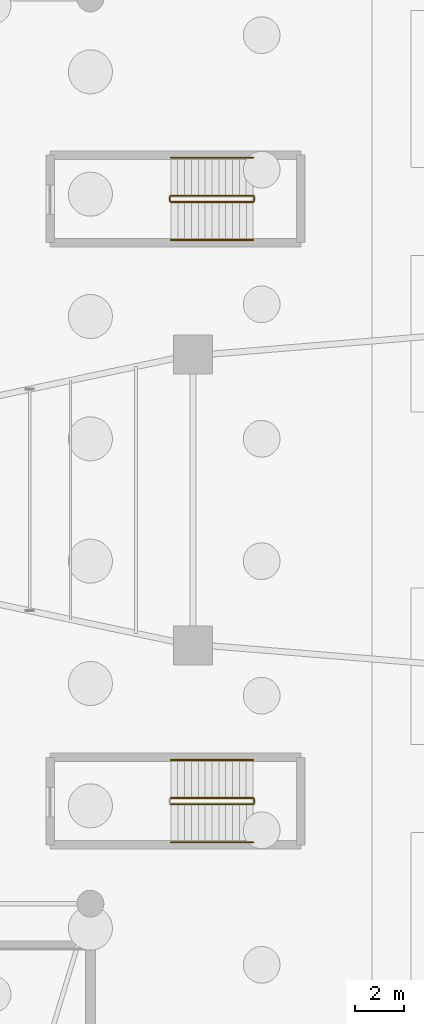
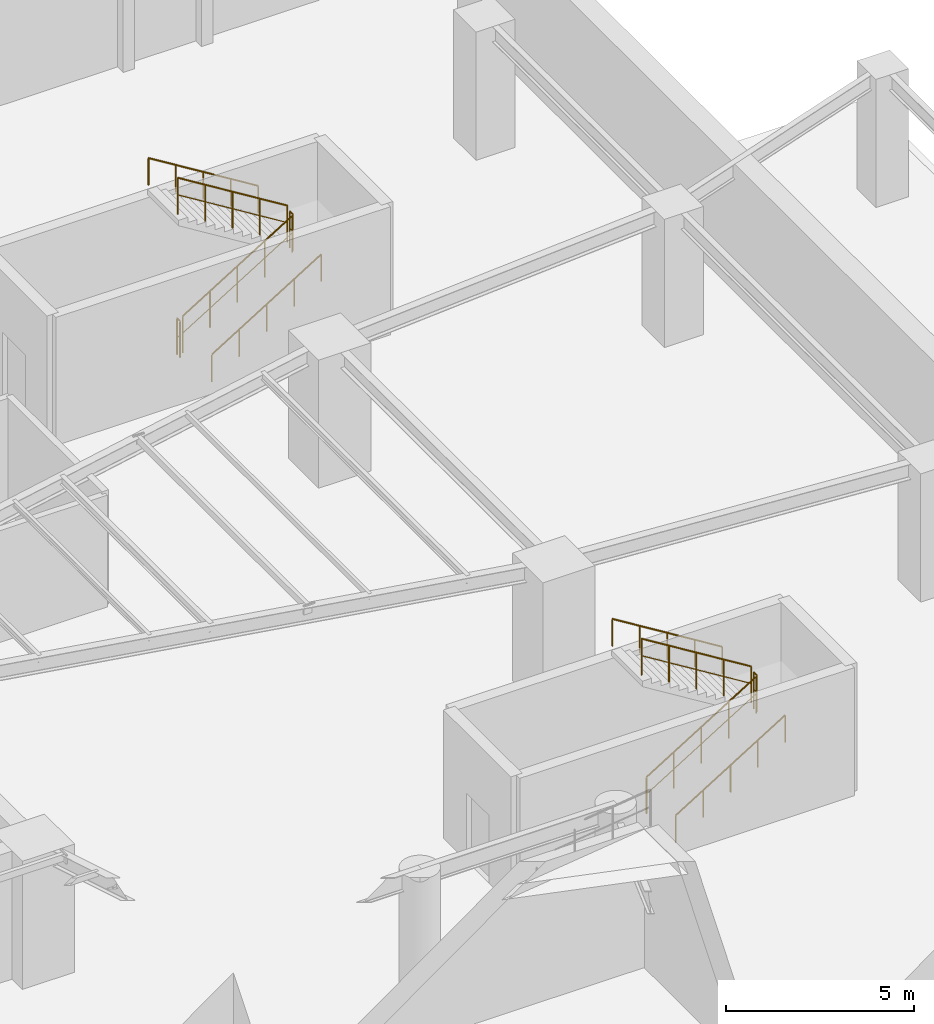
# One storey, part 14 of 15: 11 railings.
"""IFC4 building model written with IfcOpenShell, lengths in metres."""

from ifc_helpers import new_model, si_unit, direction, frame, origin, origin_2d, place, context, subcontext, project, spatial, circle, extrude, material, type_object, element, save


model = new_model("IFC4")

# Units and contexts
model_context = context("Model", 3, precision=1e-05, world=origin(), true_north=direction((0.0, 1.0)))
body_context = subcontext(model_context, "Body", "Model", "MODEL_VIEW")
ifc_project = project(units=[si_unit("LENGTHUNIT", "METRE"), si_unit("AREAUNIT", "SQUARE_METRE"), si_unit("VOLUMEUNIT", "CUBIC_METRE"), si_unit("PLANEANGLEUNIT", "RADIAN"), si_unit("MASSUNIT", "GRAM", prefix="KILO")], contexts=[model_context])

# Site, building, storey
site_placement = place(None, origin())
site = spatial("IfcSite", under=ifc_project, at=site_placement, CompositionType="ELEMENT")
building_placement = place(site_placement, origin())
building = spatial("IfcBuilding", under=site, at=building_placement, Name="Sahyath Konkavel Grand Hotel", CompositionType="ELEMENT")
storey_placement = place(building_placement, frame((0.0, 0.0, -9.0)))
storey = spatial("IfcBuildingStorey", under=building, at=storey_placement, Name="B2", CompositionType="ELEMENT", Elevation=-9.0)

# Railings
ifc_material_1 = material(Name="Steel E350", Category="steel")
railing_type_1 = type_object("IfcRailingType", Name="RLG-STAIR-GRD", PredefinedType="GUARDRAIL", material=ifc_material_1)
railing_1_placement = place(storey_placement, frame((21.2900390625, 12.179931640625, 0.173095703125)))
element("IfcRailing", 1, at=railing_1_placement, inside=storey, type_object=railing_type_1, Name="B2 ST-P2 stair guard 1", PredefinedType="GUARDRAIL", context=body_context, shape_type="SweptSolid", body=[
    extrude(circle(Radius=0.02392578125, at=origin_2d()), frame((0.001708984375, 0.0, 1.177001953125), z_axis=(0.850606129759, 0.0, 0.525803396734), x_axis=(0.0, 1.0, 0.0)), (0.0, 0.0, 1.0), 3.946044921875),
    extrude(circle(Radius=0.01416015625, at=origin_2d()), frame((0.001708984375, 0.0, 0.625), z_axis=(0.850606129759, 0.0, 0.525803396734), x_axis=(0.0, 1.0, 0.0)), (0.0, 0.0, 1.0), 3.946044921875),
    extrude(circle(Radius=0.02099609375, at=origin_2d()), origin(), (0.0, 0.0, 1.0), 1.15185546875),
    extrude(circle(Radius=0.02099609375, at=origin_2d()), frame((0.83984375, 0.0, 0.519287109375)), (0.0, 0.0, 1.0), 1.15185546875),
    extrude(circle(Radius=0.02099609375, at=origin_2d()), frame((1.679931640625, 0.0, 1.03857421875)), (0.0, 0.0, 1.0), 1.15185546875),
    extrude(circle(Radius=0.02099609375, at=origin_2d()), frame((2.52001953125, 0.0, 1.5576171875)), (0.0, 0.0, 1.0), 1.15185546875),
    extrude(circle(Radius=0.02099609375, at=origin_2d()), frame((3.35986328125, 0.0, 2.076904296875)), (0.0, 0.0, 1.0), 1.15185546875),
])
railing_2_placement = place(storey_placement, frame((24.699951171875, 12.22998046875, 2.25)))
element("IfcRailing", 2, at=railing_2_placement, inside=storey, type_object=railing_type_1, Name="B2 ST-P2 stair guard 2", PredefinedType="GUARDRAIL", context=body_context, shape_type="SweptSolid", body=[
    extrude(circle(Radius=0.02392578125, at=origin_2d()), frame((0.0, 0.001953125, 1.17578125), z_axis=(0.0, 1.0, 0.0), x_axis=(-1.0, 0.0, 0.0)), (0.0, 0.0, 1.0), 0.156005859375),
    extrude(circle(Radius=0.01416015625, at=origin_2d()), frame((0.0, 0.001953125, 0.6240234375), z_axis=(0.0, 1.0, 0.0), x_axis=(-1.0, 0.0, 0.0)), (0.0, 0.0, 1.0), 0.156005859375),
    extrude(circle(Radius=0.02099609375, at=origin_2d()), origin(), (0.0, 0.0, 1.0), 1.15185546875),
    extrude(circle(Radius=0.02099609375, at=origin_2d()), frame((0.0, 0.159912109375, 0.0)), (0.0, 0.0, 1.0), 1.15185546875),
])
railing_3_placement = place(storey_placement, frame((24.64990234375, 12.43994140625, 2.423095703125)))
element("IfcRailing", 3, at=railing_3_placement, inside=storey, type_object=railing_type_1, Name="B2 ST-P2 stair guard 3", PredefinedType="GUARDRAIL", context=body_context, shape_type="SweptSolid", body=[
    extrude(circle(Radius=0.02392578125, at=origin_2d()), frame((-0.001708984375, 0.0, 1.177001953125), z_axis=(-0.850606129759, 0.0, 0.525803396734), x_axis=(0.0, -1.0, 0.0)), (0.0, 0.0, 1.0), 3.946044921875),
    extrude(circle(Radius=0.01416015625, at=origin_2d()), frame((-0.001708984375, 0.0, 0.625), z_axis=(-0.850606129759, 0.0, 0.525803396734), x_axis=(0.0, -1.0, 0.0)), (0.0, 0.0, 1.0), 3.946044921875),
    extrude(circle(Radius=0.02099609375, at=origin_2d()), origin(), (0.0, 0.0, 1.0), 1.15185546875),
    extrude(circle(Radius=0.02099609375, at=origin_2d()), frame((-0.83984375, 0.0, 0.519287109375)), (0.0, 0.0, 1.0), 1.15185546875),
    extrude(circle(Radius=0.02099609375, at=origin_2d()), frame((-1.679931640625, 0.0, 1.03857421875)), (0.0, 0.0, 1.0), 1.15185546875),
    extrude(circle(Radius=0.02099609375, at=origin_2d()), frame((-2.52001953125, 0.0, 1.5576171875)), (0.0, 0.0, 1.0), 1.15185546875),
    extrude(circle(Radius=0.02099609375, at=origin_2d()), frame((-3.35986328125, 0.0, 2.076904296875)), (0.0, 0.0, 1.0), 1.15185546875),
])
railing_4_placement = place(storey_placement, frame((21.239990234375, 12.22998046875, 0.0)))
element("IfcRailing", 4, at=railing_4_placement, inside=storey, type_object=railing_type_1, Name="B2 ST-P2 stair guard 4", PredefinedType="GUARDRAIL", context=body_context, shape_type="SweptSolid", body=[
    extrude(circle(Radius=0.02392578125, at=origin_2d()), frame((0.0, 0.001953125, 1.17578125), z_axis=(0.0, 1.0, 0.0), x_axis=(-1.0, 0.0, 0.0)), (0.0, 0.0, 1.0), 0.156005859375),
    extrude(circle(Radius=0.01416015625, at=origin_2d()), frame((0.0, 0.001953125, 0.6240234375), z_axis=(0.0, 1.0, 0.0), x_axis=(-1.0, 0.0, 0.0)), (0.0, 0.0, 1.0), 0.156005859375),
    extrude(circle(Radius=0.02099609375, at=origin_2d()), origin(), (0.0, 0.0, 1.0), 1.15185546875),
    extrude(circle(Radius=0.02099609375, at=origin_2d()), frame((0.0, 0.159912109375, 0.0)), (0.0, 0.0, 1.0), 1.15185546875),
])
railing_5_placement = place(storey_placement, frame((21.2900390625, -12.43994140625, 0.173095703125)))
element("IfcRailing", 5, at=railing_5_placement, inside=storey, type_object=railing_type_1, Name="B2 ST-P4 stair guard 1", PredefinedType="GUARDRAIL", context=body_context, shape_type="SweptSolid", body=[
    extrude(circle(Radius=0.02392578125, at=origin_2d()), frame((0.001708984375, 0.0, 1.177001953125), z_axis=(0.850606129759, 0.0, 0.525803396734), x_axis=(0.0, 1.0, 0.0)), (0.0, 0.0, 1.0), 3.946044921875),
    extrude(circle(Radius=0.01416015625, at=origin_2d()), frame((0.001708984375, 0.0, 0.625), z_axis=(0.850606129759, 0.0, 0.525803396734), x_axis=(0.0, 1.0, 0.0)), (0.0, 0.0, 1.0), 3.946044921875),
    extrude(circle(Radius=0.02099609375, at=origin_2d()), origin(), (0.0, 0.0, 1.0), 1.15185546875),
    extrude(circle(Radius=0.02099609375, at=origin_2d()), frame((0.83984375, 0.0, 0.519287109375)), (0.0, 0.0, 1.0), 1.15185546875),
    extrude(circle(Radius=0.02099609375, at=origin_2d()), frame((1.679931640625, 0.0, 1.03857421875)), (0.0, 0.0, 1.0), 1.15185546875),
    extrude(circle(Radius=0.02099609375, at=origin_2d()), frame((2.52001953125, 0.0, 1.5576171875)), (0.0, 0.0, 1.0), 1.15185546875),
    extrude(circle(Radius=0.02099609375, at=origin_2d()), frame((3.35986328125, 0.0, 2.076904296875)), (0.0, 0.0, 1.0), 1.15185546875),
])
railing_6_placement = place(storey_placement, frame((24.699951171875, -12.389892578125, 2.25)))
element("IfcRailing", 6, at=railing_6_placement, inside=storey, type_object=railing_type_1, Name="B2 ST-P4 stair guard 2", PredefinedType="GUARDRAIL", context=body_context, shape_type="SweptSolid", body=[
    extrude(circle(Radius=0.02392578125, at=origin_2d()), frame((0.0, 0.001953125, 1.17578125), z_axis=(0.0, 1.0, 0.0), x_axis=(-1.0, 0.0, 0.0)), (0.0, 0.0, 1.0), 0.156005859375),
    extrude(circle(Radius=0.01416015625, at=origin_2d()), frame((0.0, 0.001953125, 0.6240234375), z_axis=(0.0, 1.0, 0.0), x_axis=(-1.0, 0.0, 0.0)), (0.0, 0.0, 1.0), 0.156005859375),
    extrude(circle(Radius=0.02099609375, at=origin_2d()), origin(), (0.0, 0.0, 1.0), 1.15185546875),
    extrude(circle(Radius=0.02099609375, at=origin_2d()), frame((0.0, 0.159912109375, 0.0)), (0.0, 0.0, 1.0), 1.15185546875),
])
railing_7_placement = place(storey_placement, frame((24.64990234375, -12.179931640625, 2.423095703125)))
element("IfcRailing", 7, at=railing_7_placement, inside=storey, type_object=railing_type_1, Name="B2 ST-P4 stair guard 3", PredefinedType="GUARDRAIL", context=body_context, shape_type="SweptSolid", body=[
    extrude(circle(Radius=0.02392578125, at=origin_2d()), frame((-0.001708984375, 0.0, 1.177001953125), z_axis=(-0.850606129759, 0.0, 0.525803396734), x_axis=(0.0, -1.0, 0.0)), (0.0, 0.0, 1.0), 3.946044921875),
    extrude(circle(Radius=0.01416015625, at=origin_2d()), frame((-0.001708984375, 0.0, 0.625), z_axis=(-0.850606129759, 0.0, 0.525803396734), x_axis=(0.0, -1.0, 0.0)), (0.0, 0.0, 1.0), 3.946044921875),
    extrude(circle(Radius=0.02099609375, at=origin_2d()), origin(), (0.0, 0.0, 1.0), 1.15185546875),
    extrude(circle(Radius=0.02099609375, at=origin_2d()), frame((-0.83984375, 0.0, 0.519287109375)), (0.0, 0.0, 1.0), 1.15185546875),
    extrude(circle(Radius=0.02099609375, at=origin_2d()), frame((-1.679931640625, 0.0, 1.03857421875)), (0.0, 0.0, 1.0), 1.15185546875),
    extrude(circle(Radius=0.02099609375, at=origin_2d()), frame((-2.52001953125, 0.0, 1.5576171875)), (0.0, 0.0, 1.0), 1.15185546875),
    extrude(circle(Radius=0.02099609375, at=origin_2d()), frame((-3.35986328125, 0.0, 2.076904296875)), (0.0, 0.0, 1.0), 1.15185546875),
])
ifc_material_2 = material(Name="Anodised Bronze Aluminium", Category="aluminium")
railing_type_2 = type_object("IfcRailingType", Name="RLG-STAIR-HND", PredefinedType="HANDRAIL", material=ifc_material_2)
railing_8_placement = place(storey_placement, frame((21.2900390625, 10.6298828125, 0.173095703125)))
element("IfcRailing", 8, at=railing_8_placement, inside=storey, type_object=railing_type_2, Name="B2 ST-P2 stair handrail 1", PredefinedType="HANDRAIL", context=body_context, shape_type="SweptSolid", body=[
    extrude(circle(Radius=0.02392578125, at=origin_2d()), frame((0.001708984375, 0.0, 0.876953125), z_axis=(0.850606129759, 0.0, 0.525803396734), x_axis=(0.0, 1.0, 0.0)), (0.0, 0.0, 1.0), 3.946044921875),
    extrude(circle(Radius=0.02099609375, at=origin_2d()), origin(), (0.0, 0.0, 1.0), 0.851806640625),
    extrude(circle(Radius=0.02099609375, at=origin_2d()), frame((0.83984375, 0.0, 0.519287109375)), (0.0, 0.0, 1.0), 0.851806640625),
    extrude(circle(Radius=0.02099609375, at=origin_2d()), frame((1.679931640625, 0.0, 1.03857421875)), (0.0, 0.0, 1.0), 0.851806640625),
    extrude(circle(Radius=0.02099609375, at=origin_2d()), frame((2.52001953125, 0.0, 1.5576171875)), (0.0, 0.0, 1.0), 0.851806640625),
    extrude(circle(Radius=0.02099609375, at=origin_2d()), frame((3.35986328125, 0.0, 2.076904296875)), (0.0, 0.0, 1.0), 0.851806640625),
])
railing_9_placement = place(storey_placement, frame((24.64990234375, 13.989990234375, 2.423095703125)))
element("IfcRailing", 9, at=railing_9_placement, inside=storey, type_object=railing_type_2, Name="B2 ST-P2 stair handrail 2", PredefinedType="HANDRAIL", context=body_context, shape_type="SweptSolid", body=[
    extrude(circle(Radius=0.02392578125, at=origin_2d()), frame((-0.001708984375, 0.0, 0.876953125), z_axis=(-0.850606129759, 0.0, 0.525803396734), x_axis=(0.0, -1.0, 0.0)), (0.0, 0.0, 1.0), 3.946044921875),
    extrude(circle(Radius=0.02099609375, at=origin_2d()), origin(), (0.0, 0.0, 1.0), 0.851806640625),
    extrude(circle(Radius=0.02099609375, at=origin_2d()), frame((-0.83984375, 0.0, 0.519287109375)), (0.0, 0.0, 1.0), 0.851806640625),
    extrude(circle(Radius=0.02099609375, at=origin_2d()), frame((-1.679931640625, 0.0, 1.03857421875)), (0.0, 0.0, 1.0), 0.851806640625),
    extrude(circle(Radius=0.02099609375, at=origin_2d()), frame((-2.52001953125, 0.0, 1.5576171875)), (0.0, 0.0, 1.0), 0.851806640625),
    extrude(circle(Radius=0.02099609375, at=origin_2d()), frame((-3.35986328125, 0.0, 2.076904296875)), (0.0, 0.0, 1.0), 0.851806640625),
])
railing_10_placement = place(storey_placement, frame((21.2900390625, -13.989990234375, 0.173095703125)))
element("IfcRailing", 10, at=railing_10_placement, inside=storey, type_object=railing_type_2, Name="B2 ST-P4 stair handrail 1", PredefinedType="HANDRAIL", context=body_context, shape_type="SweptSolid", body=[
    extrude(circle(Radius=0.02392578125, at=origin_2d()), frame((0.001708984375, 0.0, 0.876953125), z_axis=(0.850606129759, 0.0, 0.525803396734), x_axis=(0.0, 1.0, 0.0)), (0.0, 0.0, 1.0), 3.946044921875),
    extrude(circle(Radius=0.02099609375, at=origin_2d()), origin(), (0.0, 0.0, 1.0), 0.851806640625),
    extrude(circle(Radius=0.02099609375, at=origin_2d()), frame((0.83984375, 0.0, 0.519287109375)), (0.0, 0.0, 1.0), 0.851806640625),
    extrude(circle(Radius=0.02099609375, at=origin_2d()), frame((1.679931640625, 0.0, 1.03857421875)), (0.0, 0.0, 1.0), 0.851806640625),
    extrude(circle(Radius=0.02099609375, at=origin_2d()), frame((2.52001953125, 0.0, 1.5576171875)), (0.0, 0.0, 1.0), 0.851806640625),
    extrude(circle(Radius=0.02099609375, at=origin_2d()), frame((3.35986328125, 0.0, 2.076904296875)), (0.0, 0.0, 1.0), 0.851806640625),
])
railing_11_placement = place(storey_placement, frame((24.64990234375, -10.6298828125, 2.423095703125)))
element("IfcRailing", 11, at=railing_11_placement, inside=storey, type_object=railing_type_2, Name="B2 ST-P4 stair handrail 2", PredefinedType="HANDRAIL", context=body_context, shape_type="SweptSolid", body=[
    extrude(circle(Radius=0.02392578125, at=origin_2d()), frame((-0.001708984375, 0.0, 0.876953125), z_axis=(-0.850606129759, 0.0, 0.525803396734), x_axis=(0.0, -1.0, 0.0)), (0.0, 0.0, 1.0), 3.946044921875),
    extrude(circle(Radius=0.02099609375, at=origin_2d()), origin(), (0.0, 0.0, 1.0), 0.851806640625),
    extrude(circle(Radius=0.02099609375, at=origin_2d()), frame((-0.83984375, 0.0, 0.519287109375)), (0.0, 0.0, 1.0), 0.851806640625),
    extrude(circle(Radius=0.02099609375, at=origin_2d()), frame((-1.679931640625, 0.0, 1.03857421875)), (0.0, 0.0, 1.0), 0.851806640625),
    extrude(circle(Radius=0.02099609375, at=origin_2d()), frame((-2.52001953125, 0.0, 1.5576171875)), (0.0, 0.0, 1.0), 0.851806640625),
    extrude(circle(Radius=0.02099609375, at=origin_2d()), frame((-3.35986328125, 0.0, 2.076904296875)), (0.0, 0.0, 1.0), 0.851806640625),
])

save(model, "model.ifc")
